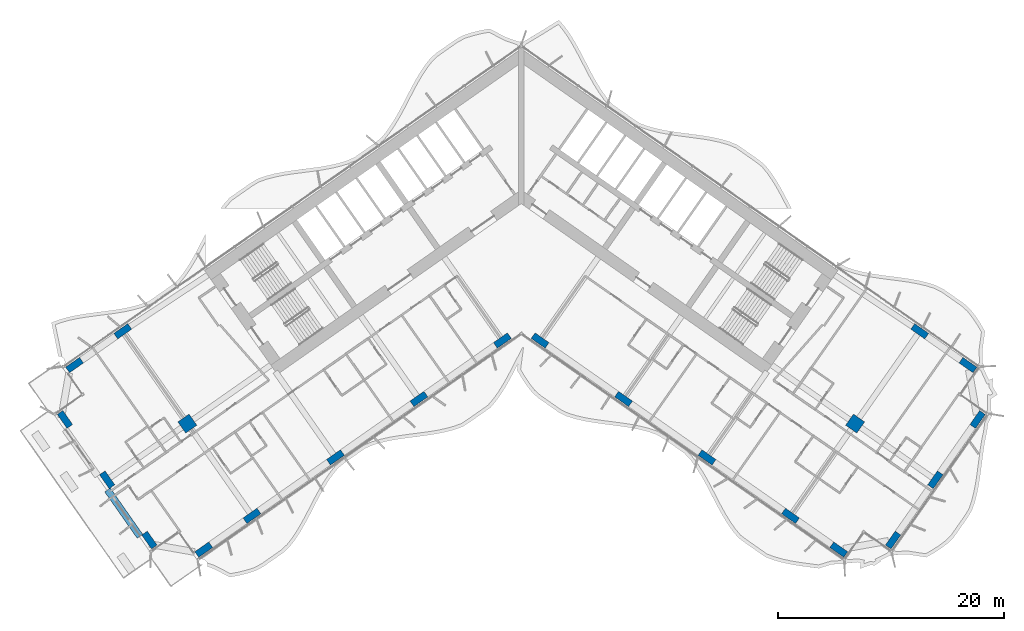
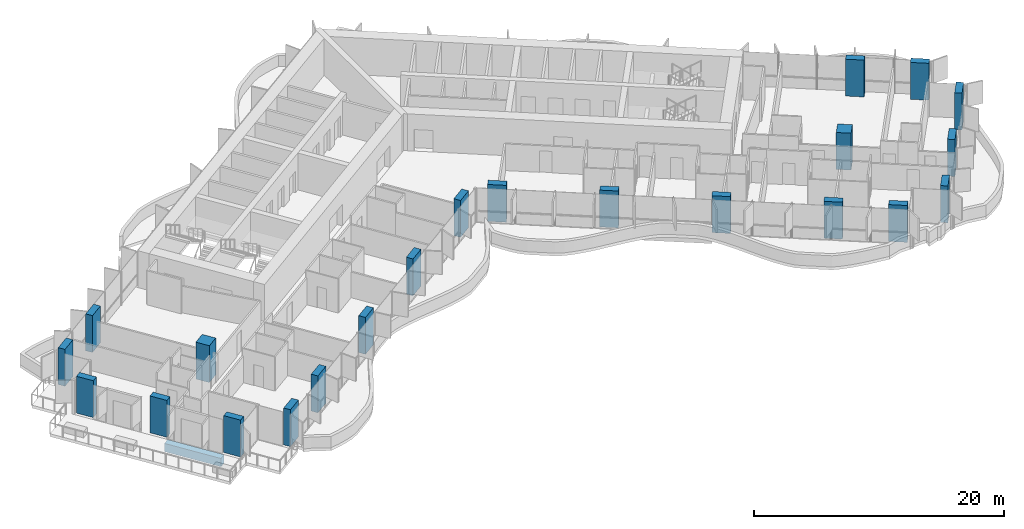
# One storey, part 1 of 25: 22 columns, 1 beam.
"""IFC4 building model written with IfcOpenShell, lengths in metres."""

from ifc_helpers import new_model, si_unit, direction, frame, origin, origin_2d, place, context, subcontext, project, spatial, rectangle, extrude, material, material_profile, profile_set, type_object, element, save


model = new_model("IFC4")

# Units and contexts
model_context = context("Model", 3, precision=1e-05, world=origin(), true_north=direction((0.0, 1.0)))
body_context = subcontext(model_context, "Body", "Model", "MODEL_VIEW")
ifc_project = project(units=[si_unit("LENGTHUNIT", "METRE"), si_unit("AREAUNIT", "SQUARE_METRE"), si_unit("VOLUMEUNIT", "CUBIC_METRE"), si_unit("PLANEANGLEUNIT", "RADIAN"), si_unit("MASSUNIT", "GRAM", prefix="KILO")], contexts=[model_context])

# Site, building, storey
site_placement = place(None, origin())
site = spatial("IfcSite", under=ifc_project, at=site_placement, CompositionType="ELEMENT")
building_placement = place(site_placement, origin())
building = spatial("IfcBuilding", under=site, at=building_placement, Name="Tel Ilan Convention Tower", CompositionType="ELEMENT")
storey_placement = place(building_placement, frame((0.0, 0.0, 97.699951171875)))
storey = spatial("IfcBuildingStorey", under=building, at=storey_placement, Name="L20", CompositionType="ELEMENT", Elevation=97.699951171875)

# Columns
ifc_material_1 = material(Name="Concrete C60/75", Category="concrete")
ifc_material_profile_1 = material_profile(ifc_material_1, rectangle(XDim=1.199951171875, YDim=1.199951171875, at=origin_2d()), Name="RC 1200x1200")
ifc_profile_set_1 = profile_set([ifc_material_profile_1], Name="Concrete C60/75")
column_type_1 = type_object("IfcColumnType", Name="Column RC 1200x1200 C60/75", PredefinedType="COLUMN", material=ifc_profile_set_1)
for number, where, z_axis, x_axis, name in (
    (1, (-29.489501953125, -20.648681640625, 0.0), (0.0, 0.0, 1.0), (-0.819152044289, -0.573576436351, 0.0), "L20 column W-M4"),
    (2, (29.489501953125, -20.648681640625, 0.0), (0.0, 0.0, 1.0), (0.819152044289, -0.573576436351, 0.0), "L20 column E-M4"),
):
    element("IfcColumn", number, at=place(storey_placement, frame(where, z_axis=z_axis, x_axis=x_axis)), inside=storey, type_object=column_type_1, Name=name, PredefinedType="COLUMN", context=body_context, shape_type="SweptSolid", body=[
        extrude(rectangle(XDim=1.199951171875, YDim=1.199951171875, at=origin_2d()), origin(), (0.0, 0.0, 1.0), 3.60009765625),
    ])
ifc_material_2 = material(Name="Concrete C60/75", Category="concrete")
ifc_material_profile_2 = material_profile(ifc_material_2, rectangle(XDim=1.5, YDim=0.60009765625, at=origin_2d()), Name="RC 600x1500")
ifc_profile_set_2 = profile_set([ifc_material_profile_2], Name="Concrete C60/75")
column_type_2 = type_object("IfcColumnType", Name="Column RC 600x1500 C60/75", PredefinedType="COLUMN", material=ifc_profile_set_2)
for number, where, z_axis, x_axis, name in (
    (3, (-1.665283203125, -13.312744140625, 0.0), (0.0, 0.0, 1.0), (-0.819152044289, -0.573576436351, 0.0), "L20 column W-F1"),
    (4, (-9.03759765625, -18.474853515625, 0.0), (0.0, 0.0, 1.0), (-0.819152044289, -0.573576436351, 0.0), "L20 column W-F2"),
    (5, (-16.409912109375, -23.63720703125, 0.0), (0.0, 0.0, 1.0), (-0.819152044289, -0.573576436351, 0.0), "L20 column W-F3"),
    (6, (-23.782470703125, -28.79931640625, 0.0), (0.0, 0.0, 1.0), (-0.819152044289, -0.573576436351, 0.0), "L20 column W-F4"),
    (7, (-28.0419921875, -31.781982421875, 0.0), (0.0, 0.0, 1.0), (-0.819152044289, -0.573576436351, 0.0), "L20 column W-FC"),
    (8, (-35.196533203125, -12.498291015625, 0.0), (0.0, 0.0, 1.0), (-0.819152044289, -0.573576436351, 0.0), "L20 column W-B4"),
    (9, (-39.4560546875, -15.480712890625, 0.0), (0.0, 0.0, 1.0), (-0.819152044289, -0.573576436351, 0.0), "L20 column W-BC"),
    (10, (-32.846923828125, -30.934814453125, 0.0), (0.0, 0.0, 1.0), (-0.573576436351, 0.819152044289, 0.0), "L20 column W-E1"),
    (11, (-36.5751953125, -25.610107421875, 0.0), (0.0, 0.0, 1.0), (-0.573576436351, 0.819152044289, 0.0), "L20 column W-E2"),
    (12, (-40.303466796875, -20.28564453125, 0.0), (0.0, 0.0, 1.0), (-0.573576436351, 0.819152044289, 0.0), "L20 column W-E3"),
    (13, (1.665283203125, -13.312744140625, 0.0), (0.0, 0.0, 1.0), (0.819152044289, -0.573576436351, 0.0), "L20 column E-F1"),
    (14, (9.03759765625, -18.474853515625, 0.0), (0.0, 0.0, 1.0), (0.819152044289, -0.573576436351, 0.0), "L20 column E-F2"),
    (15, (16.409912109375, -23.63720703125, 0.0), (0.0, 0.0, 1.0), (0.819152044289, -0.573576436351, 0.0), "L20 column E-F3"),
    (16, (23.782470703125, -28.79931640625, 0.0), (0.0, 0.0, 1.0), (0.819152044289, -0.573576436351, 0.0), "L20 column E-F4"),
    (17, (28.0419921875, -31.781982421875, 0.0), (0.0, 0.0, 1.0), (0.819152044289, -0.573576436351, 0.0), "L20 column E-FC"),
    (18, (35.196533203125, -12.498291015625, 0.0), (0.0, 0.0, 1.0), (0.819152044289, -0.573576436351, 0.0), "L20 column E-B4"),
    (19, (39.4560546875, -15.480712890625, 0.0), (0.0, 0.0, 1.0), (0.819152044289, -0.573576436351, 0.0), "L20 column E-BC"),
    (20, (32.846923828125, -30.934814453125, 0.0), (0.0, 0.0, 1.0), (0.573576436351, 0.819152044289, 0.0), "L20 column E-E1"),
    (21, (36.5751953125, -25.610107421875, 0.0), (0.0, 0.0, 1.0), (0.573576436351, 0.819152044289, 0.0), "L20 column E-E2"),
    (22, (40.303466796875, -20.28564453125, 0.0), (0.0, 0.0, 1.0), (0.573576436351, 0.819152044289, 0.0), "L20 column E-E3"),
):
    element("IfcColumn", number, at=place(storey_placement, frame(where, z_axis=z_axis, x_axis=x_axis)), inside=storey, type_object=column_type_2, Name=name, PredefinedType="COLUMN", context=body_context, shape_type="SweptSolid", body=[
        extrude(rectangle(XDim=1.5, YDim=0.60009765625, at=origin_2d()), origin(), (0.0, 0.0, 1.0), 3.60009765625),
    ])

# Beam
ifc_material_3 = material(Name="Concrete C40/50", Category="concrete")
ifc_material_profile_3 = material_profile(ifc_material_3, rectangle(XDim=0.60009765625, YDim=0.800048828125, at=origin_2d()), Name="RC 600x800")
ifc_profile_set_3 = profile_set([ifc_material_profile_3], Name="Concrete C40/50")
beam_type = type_object("IfcBeamType", Name="Beam RC 600x800 Concrete C40/50", PredefinedType="BEAM", material=ifc_profile_set_3)
beam_placement = place(storey_placement, frame((-33.678466796875, -30.601318359375, -0.679931640625), z_axis=(-0.573586866468, 0.819144740944, 0.0), x_axis=(-0.819144740944, -0.573586866468, 0.0)))
element("IfcBeam", 23, at=beam_placement, inside=storey, type_object=beam_type, Name="L20 beam W-W-E1-W-E2", PredefinedType="BEAM", context=body_context, shape_type="SweptSolid", body=[
    extrude(rectangle(XDim=0.60009765625, YDim=0.800048828125, at=origin_2d()), origin(), (0.0, 0.0, 1.0), 5.0),
])

save(model, "model.ifc")
